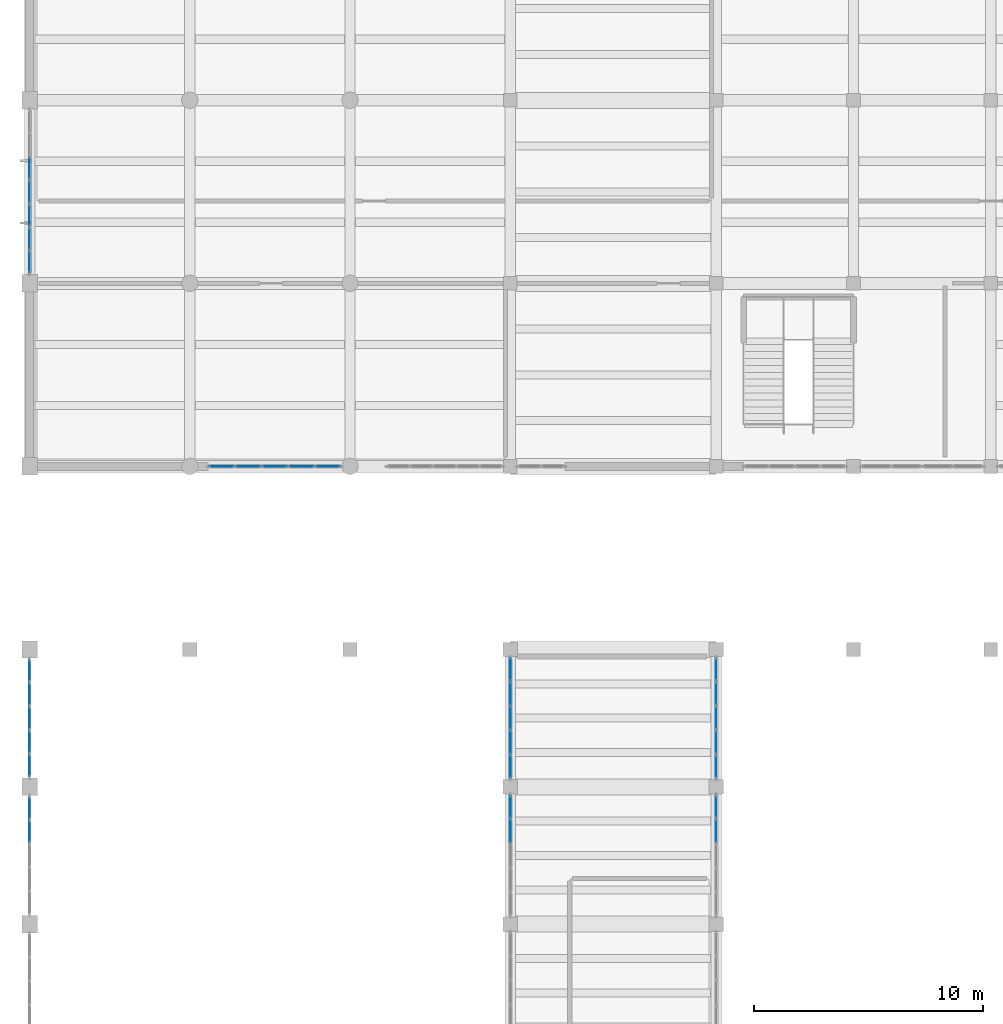
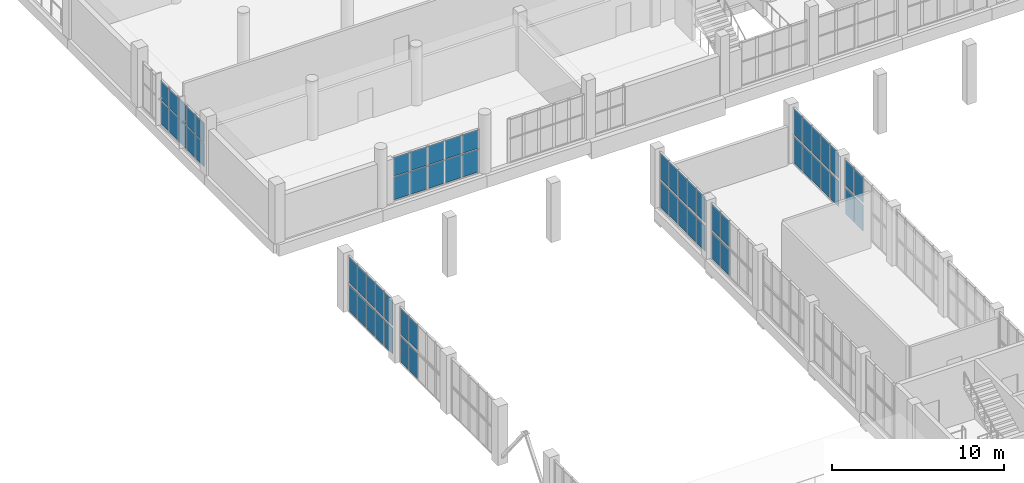
# One storey, part 53 of 85: 62 plates, 14 elements without a shape of their own.
"""IFC4 building model written with IfcOpenShell, lengths in metres."""

from ifc_helpers import new_model, si_unit, direction, frame, origin, origin_2d, place, context, subcontext, project, spatial, rectangle, extrude, material, layer, layer_set, type_object, element, aggregate, save


model = new_model("IFC4")

# Units and contexts
model_context = context("Model", 3, precision=1e-05, world=origin(), true_north=direction((0.0, 1.0)))
body_context = subcontext(model_context, "Body", "Model", "MODEL_VIEW")
ifc_project = project(units=[si_unit("LENGTHUNIT", "METRE"), si_unit("AREAUNIT", "SQUARE_METRE"), si_unit("VOLUMEUNIT", "CUBIC_METRE"), si_unit("PLANEANGLEUNIT", "RADIAN"), si_unit("MASSUNIT", "GRAM", prefix="KILO")], contexts=[model_context])

# Site, building, storey
site_placement = place(None, origin())
site = spatial("IfcSite", under=ifc_project, at=site_placement, CompositionType="ELEMENT")
building_placement = place(site_placement, origin())
building = spatial("IfcBuilding", under=site, at=building_placement, Name="Solvane Community Centre", CompositionType="ELEMENT")
storey_placement = place(building_placement, frame((0.0, 0.0, 5.39990234375)))
storey = spatial("IfcBuildingStorey", under=building, at=storey_placement, Name="L01", CompositionType="ELEMENT", Elevation=5.39990234375)

# Curtain wall, plates
ifc_material_1 = material(Name="Anodised bronze aluminium AW-6063 T6", Category="aluminium")
ifc_layer_1 = layer(ifc_material_1, 0.18994140625)
ifc_layer_set_1 = layer_set([ifc_layer_1], Name="Anodised bronze aluminium AW-6063 T6")
curtain_wall_type_1 = type_object("IfcCurtainWallType", Name="Boulevard Bronze Vision Curtain Wall [58x31dm]", PredefinedType="NOTDEFINED", material=ifc_layer_set_1)
curtain_wall_1_placement = place(storey_placement, origin())
curtain_wall_1 = element("IfcCurtainWall", 1, at=curtain_wall_1_placement, inside=storey, type_object=curtain_wall_type_1, Name="Curtain Wall CW-L01-196_860-102", PredefinedType="NOTDEFINED")
ifc_material_2 = material(Name="Tempered low-E double glazing", Category="glass")
ifc_layer_2 = layer(ifc_material_2, 0.028076171875)
ifc_layer_set_2 = layer_set([ifc_layer_2], Name="Tempered low-E double glazing")
plate_type_1 = type_object("IfcPlateType", Name="Low-E Vision Glazing Panel 28mm [58x31dm]", PredefinedType="CURTAIN_PANEL", material=ifc_layer_set_2)
plate_1_placement = place(storey_placement, frame((19.027587890625, 86.0, 0.06005859375), z_axis=(0.0, 0.0, 1.0), x_axis=(-1.0, 0.0, 0.0)))
plate_1 = element("IfcPlate", 2, at=plate_1_placement, type_object=plate_type_1, Name="CW02-58x31 panel 1.1", PredefinedType="CURTAIN_PANEL", context=body_context, shape_type="SweptSolid", body=[
    extrude(rectangle(XDim=1.074951171875, YDim=0.028076171875, at=origin_2d()), origin(), (0.0, 0.0, 1.0), 1.634033203125),
])
plate_2_placement = place(storey_placement, frame((19.027587890625, 86.0, 1.75390625), z_axis=(0.0, 0.0, 1.0), x_axis=(-1.0, 0.0, 0.0)))
plate_2 = element("IfcPlate", 3, at=plate_2_placement, type_object=plate_type_1, Name="CW02-58x31 panel 1.2", PredefinedType="CURTAIN_PANEL", context=body_context, shape_type="SweptSolid", body=[
    extrude(rectangle(XDim=1.074951171875, YDim=0.028076171875, at=origin_2d()), origin(), (0.0, 0.0, 1.0), 1.321044921875),
])
plate_3_placement = place(storey_placement, frame((17.87744140625, 86.0, 0.06005859375), z_axis=(0.0, 0.0, 1.0), x_axis=(-1.0, 0.0, 0.0)))
plate_3 = element("IfcPlate", 4, at=plate_3_placement, type_object=plate_type_1, Name="CW02-58x31 panel 2.1", PredefinedType="CURTAIN_PANEL", context=body_context, shape_type="SweptSolid", body=[
    extrude(rectangle(XDim=1.10498046875, YDim=0.028076171875, at=origin_2d()), origin(), (0.0, 0.0, 1.0), 1.634033203125),
])
plate_4_placement = place(storey_placement, frame((17.87744140625, 86.0, 1.75390625), z_axis=(0.0, 0.0, 1.0), x_axis=(-1.0, 0.0, 0.0)))
plate_4 = element("IfcPlate", 5, at=plate_4_placement, type_object=plate_type_1, Name="CW02-58x31 panel 2.2", PredefinedType="CURTAIN_PANEL", context=body_context, shape_type="SweptSolid", body=[
    extrude(rectangle(XDim=1.10498046875, YDim=0.028076171875, at=origin_2d()), origin(), (0.0, 0.0, 1.0), 1.321044921875),
])
plate_5_placement = place(storey_placement, frame((16.71240234375, 86.0, 0.06005859375), z_axis=(0.0, 0.0, 1.0), x_axis=(-1.0, 0.0, 0.0)))
plate_5 = element("IfcPlate", 6, at=plate_5_placement, type_object=plate_type_1, Name="CW02-58x31 panel 3.1", PredefinedType="CURTAIN_PANEL", context=body_context, shape_type="SweptSolid", body=[
    extrude(rectangle(XDim=1.10498046875, YDim=0.028076171875, at=origin_2d()), origin(), (0.0, 0.0, 1.0), 1.634033203125),
])
plate_6_placement = place(storey_placement, frame((16.71240234375, 86.0, 1.75390625), z_axis=(0.0, 0.0, 1.0), x_axis=(-1.0, 0.0, 0.0)))
plate_6 = element("IfcPlate", 7, at=plate_6_placement, type_object=plate_type_1, Name="CW02-58x31 panel 3.2", PredefinedType="CURTAIN_PANEL", context=body_context, shape_type="SweptSolid", body=[
    extrude(rectangle(XDim=1.10498046875, YDim=0.028076171875, at=origin_2d()), origin(), (0.0, 0.0, 1.0), 1.321044921875),
])
plate_7_placement = place(storey_placement, frame((15.547607421875, 86.0, 0.06005859375), z_axis=(0.0, 0.0, 1.0), x_axis=(-1.0, 0.0, 0.0)))
plate_7 = element("IfcPlate", 8, at=plate_7_placement, type_object=plate_type_1, Name="CW02-58x31 panel 4.1", PredefinedType="CURTAIN_PANEL", context=body_context, shape_type="SweptSolid", body=[
    extrude(rectangle(XDim=1.10498046875, YDim=0.028076171875, at=origin_2d()), origin(), (0.0, 0.0, 1.0), 1.634033203125),
])
plate_8_placement = place(storey_placement, frame((15.547607421875, 86.0, 1.75390625), z_axis=(0.0, 0.0, 1.0), x_axis=(-1.0, 0.0, 0.0)))
plate_8 = element("IfcPlate", 9, at=plate_8_placement, type_object=plate_type_1, Name="CW02-58x31 panel 4.2", PredefinedType="CURTAIN_PANEL", context=body_context, shape_type="SweptSolid", body=[
    extrude(rectangle(XDim=1.10498046875, YDim=0.028076171875, at=origin_2d()), origin(), (0.0, 0.0, 1.0), 1.321044921875),
])
plate_9_placement = place(storey_placement, frame((14.3974609375, 86.0, 0.06005859375), z_axis=(0.0, 0.0, 1.0), x_axis=(-1.0, 0.0, 0.0)))
plate_9 = element("IfcPlate", 10, at=plate_9_placement, type_object=plate_type_1, Name="CW02-58x31 panel 5.1", PredefinedType="CURTAIN_PANEL", context=body_context, shape_type="SweptSolid", body=[
    extrude(rectangle(XDim=1.074951171875, YDim=0.028076171875, at=origin_2d()), origin(), (0.0, 0.0, 1.0), 1.634033203125),
])
plate_10_placement = place(storey_placement, frame((14.3974609375, 86.0, 1.75390625), z_axis=(0.0, 0.0, 1.0), x_axis=(-1.0, 0.0, 0.0)))
plate_10 = element("IfcPlate", 11, at=plate_10_placement, type_object=plate_type_1, Name="CW02-58x31 panel 5.2", PredefinedType="CURTAIN_PANEL", context=body_context, shape_type="SweptSolid", body=[
    extrude(rectangle(XDim=1.074951171875, YDim=0.028076171875, at=origin_2d()), origin(), (0.0, 0.0, 1.0), 1.321044921875),
])
aggregate(curtain_wall_1, [plate_1, plate_2, plate_3, plate_4, plate_5, plate_6, plate_7, plate_8, plate_9, plate_10])

ifc_layer_3 = layer(ifc_material_1, 0.18994140625)
ifc_layer_set_3 = layer_set([ifc_layer_3], Name="Anodised bronze aluminium AW-6063 T6")
curtain_wall_type_2 = type_object("IfcCurtainWallType", Name="Boulevard Bronze Vision Curtain Wall [72x32dm]", PredefinedType="NOTDEFINED", material=ifc_layer_set_3)
curtain_wall_2_placement = place(storey_placement, origin())
curtain_wall_2 = element("IfcCurtainWall", 12, at=curtain_wall_2_placement, inside=storey, type_object=curtain_wall_type_2, Name="Curtain Wall CW-L01-60_944-085", PredefinedType="NOTDEFINED")
ifc_layer_4 = layer(ifc_material_2, 0.028076171875)
ifc_layer_set_4 = layer_set([ifc_layer_4], Name="Tempered low-E double glazing")
plate_type_2 = type_object("IfcPlateType", Name="Low-E Vision Glazing Panel 28mm [72x32dm]", PredefinedType="CURTAIN_PANEL", material=ifc_layer_set_4)
plate_11_placement = place(storey_placement, frame((6.0, 94.925048828125, 0.06005859375), z_axis=(0.0, 0.0, 1.0), x_axis=(0.0, 1.0, 0.0)))
plate_11 = element("IfcPlate", 13, at=plate_11_placement, type_object=plate_type_2, Name="CW02-72x32 panel 1.1", PredefinedType="CURTAIN_PANEL", context=body_context, shape_type="SweptSolid", body=[
    extrude(rectangle(XDim=0.93994140625, YDim=0.028076171875, at=origin_2d()), origin(), (0.0, 0.0, 1.0), 1.68408203125),
])
plate_12_placement = place(storey_placement, frame((6.0, 94.925048828125, 1.80419921875), z_axis=(0.0, 0.0, 1.0), x_axis=(0.0, 1.0, 0.0)))
plate_12 = element("IfcPlate", 14, at=plate_12_placement, type_object=plate_type_2, Name="CW02-72x32 panel 1.2", PredefinedType="CURTAIN_PANEL", context=body_context, shape_type="SweptSolid", body=[
    extrude(rectangle(XDim=0.93994140625, YDim=0.028076171875, at=origin_2d()), origin(), (0.0, 0.0, 1.0), 1.361083984375),
])
plate_13_placement = place(storey_placement, frame((6.0, 95.93994140625, 0.06005859375), z_axis=(0.0, 0.0, 1.0), x_axis=(0.0, 1.0, 0.0)))
plate_13 = element("IfcPlate", 15, at=plate_13_placement, type_object=plate_type_2, Name="CW02-72x32 panel 2.1", PredefinedType="CURTAIN_PANEL", context=body_context, shape_type="SweptSolid", body=[
    extrude(rectangle(XDim=0.969970703125, YDim=0.028076171875, at=origin_2d()), origin(), (0.0, 0.0, 1.0), 1.68408203125),
])
plate_14_placement = place(storey_placement, frame((6.0, 95.93994140625, 1.80419921875), z_axis=(0.0, 0.0, 1.0), x_axis=(0.0, 1.0, 0.0)))
plate_14 = element("IfcPlate", 16, at=plate_14_placement, type_object=plate_type_2, Name="CW02-72x32 panel 2.2", PredefinedType="CURTAIN_PANEL", context=body_context, shape_type="SweptSolid", body=[
    extrude(rectangle(XDim=0.969970703125, YDim=0.028076171875, at=origin_2d()), origin(), (0.0, 0.0, 1.0), 1.361083984375),
])
plate_15_placement = place(storey_placement, frame((6.0, 96.969970703125, 0.06005859375), z_axis=(0.0, 0.0, 1.0), x_axis=(0.0, 1.0, 0.0)))
plate_15 = element("IfcPlate", 17, at=plate_15_placement, type_object=plate_type_2, Name="CW02-72x32 panel 3.1", PredefinedType="CURTAIN_PANEL", context=body_context, shape_type="SweptSolid", body=[
    extrude(rectangle(XDim=0.969970703125, YDim=0.028076171875, at=origin_2d()), origin(), (0.0, 0.0, 1.0), 1.68408203125),
])
plate_16_placement = place(storey_placement, frame((6.0, 96.969970703125, 1.80419921875), z_axis=(0.0, 0.0, 1.0), x_axis=(0.0, 1.0, 0.0)))
plate_16 = element("IfcPlate", 18, at=plate_16_placement, type_object=plate_type_2, Name="CW02-72x32 panel 3.2", PredefinedType="CURTAIN_PANEL", context=body_context, shape_type="SweptSolid", body=[
    extrude(rectangle(XDim=0.969970703125, YDim=0.028076171875, at=origin_2d()), origin(), (0.0, 0.0, 1.0), 1.361083984375),
])
plate_17_placement = place(storey_placement, frame((6.0, 98.0, 0.06005859375), z_axis=(0.0, 0.0, 1.0), x_axis=(0.0, 1.0, 0.0)))
plate_17 = element("IfcPlate", 19, at=plate_17_placement, type_object=plate_type_2, Name="CW02-72x32 panel 4.1", PredefinedType="CURTAIN_PANEL", context=body_context, shape_type="SweptSolid", body=[
    extrude(rectangle(XDim=0.969970703125, YDim=0.028076171875, at=origin_2d()), origin(), (0.0, 0.0, 1.0), 1.68408203125),
])
plate_18_placement = place(storey_placement, frame((6.0, 98.0, 1.80419921875), z_axis=(0.0, 0.0, 1.0), x_axis=(0.0, 1.0, 0.0)))
plate_18 = element("IfcPlate", 20, at=plate_18_placement, type_object=plate_type_2, Name="CW02-72x32 panel 4.2", PredefinedType="CURTAIN_PANEL", context=body_context, shape_type="SweptSolid", body=[
    extrude(rectangle(XDim=0.969970703125, YDim=0.028076171875, at=origin_2d()), origin(), (0.0, 0.0, 1.0), 1.361083984375),
])
plate_19_placement = place(storey_placement, frame((6.0, 99.030029296875, 0.06005859375), z_axis=(0.0, 0.0, 1.0), x_axis=(0.0, 1.0, 0.0)))
plate_19 = element("IfcPlate", 21, at=plate_19_placement, type_object=plate_type_2, Name="CW02-72x32 panel 5.1", PredefinedType="CURTAIN_PANEL", context=body_context, shape_type="SweptSolid", body=[
    extrude(rectangle(XDim=0.969970703125, YDim=0.028076171875, at=origin_2d()), origin(), (0.0, 0.0, 1.0), 1.68408203125),
])
plate_20_placement = place(storey_placement, frame((6.0, 99.030029296875, 1.80419921875), z_axis=(0.0, 0.0, 1.0), x_axis=(0.0, 1.0, 0.0)))
plate_20 = element("IfcPlate", 22, at=plate_20_placement, type_object=plate_type_2, Name="CW02-72x32 panel 5.2", PredefinedType="CURTAIN_PANEL", context=body_context, shape_type="SweptSolid", body=[
    extrude(rectangle(XDim=0.969970703125, YDim=0.028076171875, at=origin_2d()), origin(), (0.0, 0.0, 1.0), 1.361083984375),
])
aggregate(curtain_wall_2, [plate_11, plate_12, plate_13, plate_14, plate_15, plate_16, plate_17, plate_18, plate_19, plate_20])

ifc_layer_5 = layer(ifc_material_1, 0.179931640625)
ifc_layer_set_5 = layer_set([ifc_layer_5], Name="Anodised bronze aluminium AW-6063 T6")
curtain_wall_type_3 = type_object("IfcCurtainWallType", Name="Hall Translucent Upper Curtain Wall [52x19dm]", PredefinedType="NOTDEFINED", material=ifc_layer_set_5)
curtain_wall_3_placement = place(storey_placement, origin())
curtain_wall_3 = element("IfcCurtainWall", 23, at=curtain_wall_3_placement, inside=storey, type_object=curtain_wall_type_3, Name="Curtain Wall CW-L01-60_664-061", PredefinedType="NOTDEFINED")
ifc_material_3 = material(Name="Translucent polycarbonate panel")
ifc_layer_6 = layer(ifc_material_3, 0.028076171875)
ifc_layer_set_6 = layer_set([ifc_layer_6], Name="Translucent polycarbonate panel")
plate_type_3 = type_object("IfcPlateType", Name="Translucent Polycarbonate Panel 28mm [52x19dm]", PredefinedType="CURTAIN_PANEL", material=ifc_layer_set_6)
plate_21_placement = place(storey_placement, frame((6.0, 70.0419921875, 0.06005859375), z_axis=(0.0, 0.0, 1.0), x_axis=(0.0, 1.0, 0.0)))
plate_21 = element("IfcPlate", 24, at=plate_21_placement, type_object=plate_type_3, Name="CW01-52x19 panel 4.1", PredefinedType="CURTAIN_PANEL", context=body_context, shape_type="SweptSolid", body=[
    extrude(rectangle(XDim=0.98193359375, YDim=0.028076171875, at=origin_2d()), origin(), (0.0, 0.0, 1.0), 1.830078125),
])
plate_22_placement = place(storey_placement, frame((6.0, 71.069091796875, 0.06005859375), z_axis=(0.0, 0.0, 1.0), x_axis=(0.0, 1.0, 0.0)))
plate_22 = element("IfcPlate", 25, at=plate_22_placement, type_object=plate_type_3, Name="CW01-52x19 panel 5.1", PredefinedType="CURTAIN_PANEL", context=body_context, shape_type="SweptSolid", body=[
    extrude(rectangle(XDim=0.951904296875, YDim=0.028076171875, at=origin_2d()), origin(), (0.0, 0.0, 1.0), 1.830078125),
])
aggregate(curtain_wall_3, [plate_21, plate_22])

curtain_wall_4_placement = place(storey_placement, origin())
curtain_wall_4 = element("IfcCurtainWall", 26, at=curtain_wall_4_placement, inside=storey, type_object=curtain_wall_type_3, Name="Curtain Wall CW-L01-60_724-069", PredefinedType="NOTDEFINED")
plate_23_placement = place(storey_placement, frame((6.0, 72.930908203125, 0.06005859375), z_axis=(0.0, 0.0, 1.0), x_axis=(0.0, 1.0, 0.0)))
plate_23 = element("IfcPlate", 27, at=plate_23_placement, type_object=plate_type_3, Name="CW01-52x19 panel 1.1", PredefinedType="CURTAIN_PANEL", context=body_context, shape_type="SweptSolid", body=[
    extrude(rectangle(XDim=0.951904296875, YDim=0.028076171875, at=origin_2d()), origin(), (0.0, 0.0, 1.0), 1.830078125),
])
plate_24_placement = place(storey_placement, frame((6.0, 73.9580078125, 0.06005859375), z_axis=(0.0, 0.0, 1.0), x_axis=(0.0, 1.0, 0.0)))
plate_24 = element("IfcPlate", 28, at=plate_24_placement, type_object=plate_type_3, Name="CW01-52x19 panel 2.1", PredefinedType="CURTAIN_PANEL", context=body_context, shape_type="SweptSolid", body=[
    extrude(rectangle(XDim=0.98193359375, YDim=0.028076171875, at=origin_2d()), origin(), (0.0, 0.0, 1.0), 1.830078125),
])
plate_25_placement = place(storey_placement, frame((6.0, 75.0, 0.06005859375), z_axis=(0.0, 0.0, 1.0), x_axis=(0.0, 1.0, 0.0)))
plate_25 = element("IfcPlate", 29, at=plate_25_placement, type_object=plate_type_3, Name="CW01-52x19 panel 3.1", PredefinedType="CURTAIN_PANEL", context=body_context, shape_type="SweptSolid", body=[
    extrude(rectangle(XDim=0.98193359375, YDim=0.028076171875, at=origin_2d()), origin(), (0.0, 0.0, 1.0), 1.830078125),
])
plate_26_placement = place(storey_placement, frame((6.0, 76.0419921875, 0.06005859375), z_axis=(0.0, 0.0, 1.0), x_axis=(0.0, 1.0, 0.0)))
plate_26 = element("IfcPlate", 30, at=plate_26_placement, type_object=plate_type_3, Name="CW01-52x19 panel 4.1", PredefinedType="CURTAIN_PANEL", context=body_context, shape_type="SweptSolid", body=[
    extrude(rectangle(XDim=0.98193359375, YDim=0.028076171875, at=origin_2d()), origin(), (0.0, 0.0, 1.0), 1.830078125),
])
plate_27_placement = place(storey_placement, frame((6.0, 77.069091796875, 0.06005859375), z_axis=(0.0, 0.0, 1.0), x_axis=(0.0, 1.0, 0.0)))
plate_27 = element("IfcPlate", 31, at=plate_27_placement, type_object=plate_type_3, Name="CW01-52x19 panel 5.1", PredefinedType="CURTAIN_PANEL", context=body_context, shape_type="SweptSolid", body=[
    extrude(rectangle(XDim=0.951904296875, YDim=0.028076171875, at=origin_2d()), origin(), (0.0, 0.0, 1.0), 1.830078125),
])
aggregate(curtain_wall_4, [plate_23, plate_24, plate_25, plate_26, plate_27])

ifc_layer_7 = layer(ifc_material_1, 0.179931640625)
ifc_layer_set_7 = layer_set([ifc_layer_7], Name="Anodised bronze aluminium AW-6063 T6")
curtain_wall_type_4 = type_object("IfcCurtainWallType", Name="Hall Translucent Upper Curtain Wall [52x20dm]", PredefinedType="NOTDEFINED", material=ifc_layer_set_7)
curtain_wall_5_placement = place(storey_placement, origin())
curtain_wall_5 = element("IfcCurtainWall", 32, at=curtain_wall_5_placement, inside=storey, type_object=curtain_wall_type_4, Name="Curtain Wall CW-L01-60_664-062", PredefinedType="NOTDEFINED")
ifc_layer_8 = layer(ifc_material_3, 0.028076171875)
ifc_layer_set_8 = layer_set([ifc_layer_8], Name="Translucent polycarbonate panel")
plate_type_4 = type_object("IfcPlateType", Name="Translucent Polycarbonate Panel 28mm [52x20dm]", PredefinedType="CURTAIN_PANEL", material=ifc_layer_set_8)
plate_28_placement = place(storey_placement, frame((6.0, 70.0419921875, 2.080078125), z_axis=(0.0, 0.0, 1.0), x_axis=(0.0, 1.0, 0.0)))
plate_28 = element("IfcPlate", 33, at=plate_28_placement, type_object=plate_type_4, Name="CW01-52x20 panel 4.1", PredefinedType="CURTAIN_PANEL", context=body_context, shape_type="SweptSolid", body=[
    extrude(rectangle(XDim=0.98193359375, YDim=0.028076171875, at=origin_2d()), origin(), (0.0, 0.0, 1.0), 1.840087890625),
])
plate_29_placement = place(storey_placement, frame((6.0, 71.069091796875, 2.080078125), z_axis=(0.0, 0.0, 1.0), x_axis=(0.0, 1.0, 0.0)))
plate_29 = element("IfcPlate", 34, at=plate_29_placement, type_object=plate_type_4, Name="CW01-52x20 panel 5.1", PredefinedType="CURTAIN_PANEL", context=body_context, shape_type="SweptSolid", body=[
    extrude(rectangle(XDim=0.951904296875, YDim=0.028076171875, at=origin_2d()), origin(), (0.0, 0.0, 1.0), 1.840087890625),
])
aggregate(curtain_wall_5, [plate_28, plate_29])

curtain_wall_6_placement = place(storey_placement, origin())
curtain_wall_6 = element("IfcCurtainWall", 35, at=curtain_wall_6_placement, inside=storey, type_object=curtain_wall_type_4, Name="Curtain Wall CW-L01-60_724-070", PredefinedType="NOTDEFINED")
plate_30_placement = place(storey_placement, frame((6.0, 72.930908203125, 2.080078125), z_axis=(0.0, 0.0, 1.0), x_axis=(0.0, 1.0, 0.0)))
plate_30 = element("IfcPlate", 36, at=plate_30_placement, type_object=plate_type_4, Name="CW01-52x20 panel 1.1", PredefinedType="CURTAIN_PANEL", context=body_context, shape_type="SweptSolid", body=[
    extrude(rectangle(XDim=0.951904296875, YDim=0.028076171875, at=origin_2d()), origin(), (0.0, 0.0, 1.0), 1.840087890625),
])
plate_31_placement = place(storey_placement, frame((6.0, 73.9580078125, 2.080078125), z_axis=(0.0, 0.0, 1.0), x_axis=(0.0, 1.0, 0.0)))
plate_31 = element("IfcPlate", 37, at=plate_31_placement, type_object=plate_type_4, Name="CW01-52x20 panel 2.1", PredefinedType="CURTAIN_PANEL", context=body_context, shape_type="SweptSolid", body=[
    extrude(rectangle(XDim=0.98193359375, YDim=0.028076171875, at=origin_2d()), origin(), (0.0, 0.0, 1.0), 1.840087890625),
])
plate_32_placement = place(storey_placement, frame((6.0, 75.0, 2.080078125), z_axis=(0.0, 0.0, 1.0), x_axis=(0.0, 1.0, 0.0)))
plate_32 = element("IfcPlate", 38, at=plate_32_placement, type_object=plate_type_4, Name="CW01-52x20 panel 3.1", PredefinedType="CURTAIN_PANEL", context=body_context, shape_type="SweptSolid", body=[
    extrude(rectangle(XDim=0.98193359375, YDim=0.028076171875, at=origin_2d()), origin(), (0.0, 0.0, 1.0), 1.840087890625),
])
plate_33_placement = place(storey_placement, frame((6.0, 76.0419921875, 2.080078125), z_axis=(0.0, 0.0, 1.0), x_axis=(0.0, 1.0, 0.0)))
plate_33 = element("IfcPlate", 39, at=plate_33_placement, type_object=plate_type_4, Name="CW01-52x20 panel 4.1", PredefinedType="CURTAIN_PANEL", context=body_context, shape_type="SweptSolid", body=[
    extrude(rectangle(XDim=0.98193359375, YDim=0.028076171875, at=origin_2d()), origin(), (0.0, 0.0, 1.0), 1.840087890625),
])
plate_34_placement = place(storey_placement, frame((6.0, 77.069091796875, 2.080078125), z_axis=(0.0, 0.0, 1.0), x_axis=(0.0, 1.0, 0.0)))
plate_34 = element("IfcPlate", 40, at=plate_34_placement, type_object=plate_type_4, Name="CW01-52x20 panel 5.1", PredefinedType="CURTAIN_PANEL", context=body_context, shape_type="SweptSolid", body=[
    extrude(rectangle(XDim=0.951904296875, YDim=0.028076171875, at=origin_2d()), origin(), (0.0, 0.0, 1.0), 1.840087890625),
])
aggregate(curtain_wall_6, [plate_30, plate_31, plate_32, plate_33, plate_34])

ifc_layer_9 = layer(ifc_material_1, 0.179931640625)
ifc_layer_set_9 = layer_set([ifc_layer_9], Name="Anodised bronze aluminium AW-6063 T6")
curtain_wall_type_5 = type_object("IfcCurtainWallType", Name="Hall Translucent Upper Curtain Wall [53x19dm]", PredefinedType="NOTDEFINED", material=ifc_layer_set_9)
curtain_wall_7_placement = place(storey_placement, origin())
curtain_wall_7 = element("IfcCurtainWall", 41, at=curtain_wall_7_placement, inside=storey, type_object=curtain_wall_type_5, Name="Curtain Wall CW-L01-360_663-057", PredefinedType="NOTDEFINED")
ifc_layer_10 = layer(ifc_material_3, 0.028076171875)
ifc_layer_set_10 = layer_set([ifc_layer_10], Name="Translucent polycarbonate panel")
plate_type_5 = type_object("IfcPlateType", Name="Translucent Polycarbonate Panel 28mm [53x19dm]", PredefinedType="CURTAIN_PANEL", material=ifc_layer_set_10)
plate_35_placement = place(storey_placement, frame((36.0, 70.068115234375, 0.06005859375), z_axis=(0.0, 0.0, 1.0), x_axis=(0.0, 1.0, 0.0)))
plate_35 = element("IfcPlate", 42, at=plate_35_placement, type_object=plate_type_5, Name="CW01-53x19 panel 4.1", PredefinedType="CURTAIN_PANEL", context=body_context, shape_type="SweptSolid", body=[
    extrude(rectangle(XDim=1.008056640625, YDim=0.028076171875, at=origin_2d()), origin(), (0.0, 0.0, 1.0), 1.830078125),
])
plate_36_placement = place(storey_placement, frame((36.0, 71.12109375, 0.06005859375), z_axis=(0.0, 0.0, 1.0), x_axis=(0.0, 1.0, 0.0)))
plate_36 = element("IfcPlate", 43, at=plate_36_placement, type_object=plate_type_5, Name="CW01-53x19 panel 5.1", PredefinedType="CURTAIN_PANEL", context=body_context, shape_type="SweptSolid", body=[
    extrude(rectangle(XDim=0.97802734375, YDim=0.028076171875, at=origin_2d()), origin(), (0.0, 0.0, 1.0), 1.830078125),
])
aggregate(curtain_wall_7, [plate_35, plate_36])

curtain_wall_8_placement = place(storey_placement, origin())
curtain_wall_8 = element("IfcCurtainWall", 44, at=curtain_wall_8_placement, inside=storey, type_object=curtain_wall_type_5, Name="Curtain Wall CW-L01-270_717-063", PredefinedType="NOTDEFINED")
plate_37_placement = place(storey_placement, frame((27.0, 71.12109375, 0.06005859375), z_axis=(0.0, 0.0, 1.0), x_axis=(0.0, -1.0, 0.0)))
plate_37 = element("IfcPlate", 45, at=plate_37_placement, type_object=plate_type_5, Name="CW01-53x19 panel 1.1", PredefinedType="CURTAIN_PANEL", context=body_context, shape_type="SweptSolid", body=[
    extrude(rectangle(XDim=0.97802734375, YDim=0.028076171875, at=origin_2d()), origin(), (0.0, 0.0, 1.0), 1.830078125),
])
plate_38_placement = place(storey_placement, frame((27.0, 70.068115234375, 0.06005859375), z_axis=(0.0, 0.0, 1.0), x_axis=(0.0, -1.0, 0.0)))
plate_38 = element("IfcPlate", 46, at=plate_38_placement, type_object=plate_type_5, Name="CW01-53x19 panel 2.1", PredefinedType="CURTAIN_PANEL", context=body_context, shape_type="SweptSolid", body=[
    extrude(rectangle(XDim=1.008056640625, YDim=0.028076171875, at=origin_2d()), origin(), (0.0, 0.0, 1.0), 1.830078125),
])
aggregate(curtain_wall_8, [plate_37, plate_38])

curtain_wall_9_placement = place(storey_placement, origin())
curtain_wall_9 = element("IfcCurtainWall", 47, at=curtain_wall_9_placement, inside=storey, type_object=curtain_wall_type_5, Name="Curtain Wall CW-L01-360_723-065", PredefinedType="NOTDEFINED")
plate_39_placement = place(storey_placement, frame((36.0, 72.87890625, 0.06005859375), z_axis=(0.0, 0.0, 1.0), x_axis=(0.0, 1.0, 0.0)))
plate_39 = element("IfcPlate", 48, at=plate_39_placement, type_object=plate_type_5, Name="CW01-53x19 panel 1.1", PredefinedType="CURTAIN_PANEL", context=body_context, shape_type="SweptSolid", body=[
    extrude(rectangle(XDim=0.97802734375, YDim=0.028076171875, at=origin_2d()), origin(), (0.0, 0.0, 1.0), 1.830078125),
])
plate_40_placement = place(storey_placement, frame((36.0, 73.931884765625, 0.06005859375), z_axis=(0.0, 0.0, 1.0), x_axis=(0.0, 1.0, 0.0)))
plate_40 = element("IfcPlate", 49, at=plate_40_placement, type_object=plate_type_5, Name="CW01-53x19 panel 2.1", PredefinedType="CURTAIN_PANEL", context=body_context, shape_type="SweptSolid", body=[
    extrude(rectangle(XDim=1.008056640625, YDim=0.028076171875, at=origin_2d()), origin(), (0.0, 0.0, 1.0), 1.830078125),
])
plate_41_placement = place(storey_placement, frame((36.0, 75.0, 0.06005859375), z_axis=(0.0, 0.0, 1.0), x_axis=(0.0, 1.0, 0.0)))
plate_41 = element("IfcPlate", 50, at=plate_41_placement, type_object=plate_type_5, Name="CW01-53x19 panel 3.1", PredefinedType="CURTAIN_PANEL", context=body_context, shape_type="SweptSolid", body=[
    extrude(rectangle(XDim=1.008056640625, YDim=0.028076171875, at=origin_2d()), origin(), (0.0, 0.0, 1.0), 1.830078125),
])
plate_42_placement = place(storey_placement, frame((36.0, 76.068115234375, 0.06005859375), z_axis=(0.0, 0.0, 1.0), x_axis=(0.0, 1.0, 0.0)))
plate_42 = element("IfcPlate", 51, at=plate_42_placement, type_object=plate_type_5, Name="CW01-53x19 panel 4.1", PredefinedType="CURTAIN_PANEL", context=body_context, shape_type="SweptSolid", body=[
    extrude(rectangle(XDim=1.008056640625, YDim=0.028076171875, at=origin_2d()), origin(), (0.0, 0.0, 1.0), 1.830078125),
])
plate_43_placement = place(storey_placement, frame((36.0, 77.12109375, 0.06005859375), z_axis=(0.0, 0.0, 1.0), x_axis=(0.0, 1.0, 0.0)))
plate_43 = element("IfcPlate", 52, at=plate_43_placement, type_object=plate_type_5, Name="CW01-53x19 panel 5.1", PredefinedType="CURTAIN_PANEL", context=body_context, shape_type="SweptSolid", body=[
    extrude(rectangle(XDim=0.97802734375, YDim=0.028076171875, at=origin_2d()), origin(), (0.0, 0.0, 1.0), 1.830078125),
])
aggregate(curtain_wall_9, [plate_39, plate_40, plate_41, plate_42, plate_43])

curtain_wall_10_placement = place(storey_placement, origin())
curtain_wall_10 = element("IfcCurtainWall", 53, at=curtain_wall_10_placement, inside=storey, type_object=curtain_wall_type_5, Name="Curtain Wall CW-L01-270_777-071", PredefinedType="NOTDEFINED")
plate_44_placement = place(storey_placement, frame((27.0, 77.12109375, 0.06005859375), z_axis=(0.0, 0.0, 1.0), x_axis=(0.0, -1.0, 0.0)))
plate_44 = element("IfcPlate", 54, at=plate_44_placement, type_object=plate_type_5, Name="CW01-53x19 panel 1.1", PredefinedType="CURTAIN_PANEL", context=body_context, shape_type="SweptSolid", body=[
    extrude(rectangle(XDim=0.97802734375, YDim=0.028076171875, at=origin_2d()), origin(), (0.0, 0.0, 1.0), 1.830078125),
])
plate_45_placement = place(storey_placement, frame((27.0, 76.068115234375, 0.06005859375), z_axis=(0.0, 0.0, 1.0), x_axis=(0.0, -1.0, 0.0)))
plate_45 = element("IfcPlate", 55, at=plate_45_placement, type_object=plate_type_5, Name="CW01-53x19 panel 2.1", PredefinedType="CURTAIN_PANEL", context=body_context, shape_type="SweptSolid", body=[
    extrude(rectangle(XDim=1.008056640625, YDim=0.028076171875, at=origin_2d()), origin(), (0.0, 0.0, 1.0), 1.830078125),
])
plate_46_placement = place(storey_placement, frame((27.0, 75.0, 0.06005859375), z_axis=(0.0, 0.0, 1.0), x_axis=(0.0, -1.0, 0.0)))
plate_46 = element("IfcPlate", 56, at=plate_46_placement, type_object=plate_type_5, Name="CW01-53x19 panel 3.1", PredefinedType="CURTAIN_PANEL", context=body_context, shape_type="SweptSolid", body=[
    extrude(rectangle(XDim=1.008056640625, YDim=0.028076171875, at=origin_2d()), origin(), (0.0, 0.0, 1.0), 1.830078125),
])
plate_47_placement = place(storey_placement, frame((27.0, 73.931884765625, 0.06005859375), z_axis=(0.0, 0.0, 1.0), x_axis=(0.0, -1.0, 0.0)))
plate_47 = element("IfcPlate", 57, at=plate_47_placement, type_object=plate_type_5, Name="CW01-53x19 panel 4.1", PredefinedType="CURTAIN_PANEL", context=body_context, shape_type="SweptSolid", body=[
    extrude(rectangle(XDim=1.008056640625, YDim=0.028076171875, at=origin_2d()), origin(), (0.0, 0.0, 1.0), 1.830078125),
])
plate_48_placement = place(storey_placement, frame((27.0, 72.87890625, 0.06005859375), z_axis=(0.0, 0.0, 1.0), x_axis=(0.0, -1.0, 0.0)))
plate_48 = element("IfcPlate", 58, at=plate_48_placement, type_object=plate_type_5, Name="CW01-53x19 panel 5.1", PredefinedType="CURTAIN_PANEL", context=body_context, shape_type="SweptSolid", body=[
    extrude(rectangle(XDim=0.97802734375, YDim=0.028076171875, at=origin_2d()), origin(), (0.0, 0.0, 1.0), 1.830078125),
])
aggregate(curtain_wall_10, [plate_44, plate_45, plate_46, plate_47, plate_48])

ifc_layer_11 = layer(ifc_material_1, 0.179931640625)
ifc_layer_set_11 = layer_set([ifc_layer_11], Name="Anodised bronze aluminium AW-6063 T6")
curtain_wall_type_6 = type_object("IfcCurtainWallType", Name="Hall Translucent Upper Curtain Wall [53x20dm]", PredefinedType="NOTDEFINED", material=ifc_layer_set_11)
curtain_wall_11_placement = place(storey_placement, origin())
curtain_wall_11 = element("IfcCurtainWall", 59, at=curtain_wall_11_placement, inside=storey, type_object=curtain_wall_type_6, Name="Curtain Wall CW-L01-360_663-058", PredefinedType="NOTDEFINED")
ifc_layer_12 = layer(ifc_material_3, 0.028076171875)
ifc_layer_set_12 = layer_set([ifc_layer_12], Name="Translucent polycarbonate panel")
plate_type_6 = type_object("IfcPlateType", Name="Translucent Polycarbonate Panel 28mm [53x20dm]", PredefinedType="CURTAIN_PANEL", material=ifc_layer_set_12)
plate_49_placement = place(storey_placement, frame((36.0, 70.068115234375, 2.080078125), z_axis=(0.0, 0.0, 1.0), x_axis=(0.0, 1.0, 0.0)))
plate_49 = element("IfcPlate", 60, at=plate_49_placement, type_object=plate_type_6, Name="CW01-53x20 panel 4.1", PredefinedType="CURTAIN_PANEL", context=body_context, shape_type="SweptSolid", body=[
    extrude(rectangle(XDim=1.008056640625, YDim=0.028076171875, at=origin_2d()), origin(), (0.0, 0.0, 1.0), 1.840087890625),
])
plate_50_placement = place(storey_placement, frame((36.0, 71.12109375, 2.080078125), z_axis=(0.0, 0.0, 1.0), x_axis=(0.0, 1.0, 0.0)))
plate_50 = element("IfcPlate", 61, at=plate_50_placement, type_object=plate_type_6, Name="CW01-53x20 panel 5.1", PredefinedType="CURTAIN_PANEL", context=body_context, shape_type="SweptSolid", body=[
    extrude(rectangle(XDim=0.97802734375, YDim=0.028076171875, at=origin_2d()), origin(), (0.0, 0.0, 1.0), 1.840087890625),
])
aggregate(curtain_wall_11, [plate_49, plate_50])

curtain_wall_12_placement = place(storey_placement, origin())
curtain_wall_12 = element("IfcCurtainWall", 62, at=curtain_wall_12_placement, inside=storey, type_object=curtain_wall_type_6, Name="Curtain Wall CW-L01-270_717-064", PredefinedType="NOTDEFINED")
plate_51_placement = place(storey_placement, frame((27.0, 71.12109375, 2.080078125), z_axis=(0.0, 0.0, 1.0), x_axis=(0.0, -1.0, 0.0)))
plate_51 = element("IfcPlate", 63, at=plate_51_placement, type_object=plate_type_6, Name="CW01-53x20 panel 1.1", PredefinedType="CURTAIN_PANEL", context=body_context, shape_type="SweptSolid", body=[
    extrude(rectangle(XDim=0.97802734375, YDim=0.028076171875, at=origin_2d()), origin(), (0.0, 0.0, 1.0), 1.840087890625),
])
plate_52_placement = place(storey_placement, frame((27.0, 70.068115234375, 2.080078125), z_axis=(0.0, 0.0, 1.0), x_axis=(0.0, -1.0, 0.0)))
plate_52 = element("IfcPlate", 64, at=plate_52_placement, type_object=plate_type_6, Name="CW01-53x20 panel 2.1", PredefinedType="CURTAIN_PANEL", context=body_context, shape_type="SweptSolid", body=[
    extrude(rectangle(XDim=1.008056640625, YDim=0.028076171875, at=origin_2d()), origin(), (0.0, 0.0, 1.0), 1.840087890625),
])
aggregate(curtain_wall_12, [plate_51, plate_52])

curtain_wall_13_placement = place(storey_placement, origin())
curtain_wall_13 = element("IfcCurtainWall", 65, at=curtain_wall_13_placement, inside=storey, type_object=curtain_wall_type_6, Name="Curtain Wall CW-L01-360_723-066", PredefinedType="NOTDEFINED")
plate_53_placement = place(storey_placement, frame((36.0, 72.87890625, 2.080078125), z_axis=(0.0, 0.0, 1.0), x_axis=(0.0, 1.0, 0.0)))
plate_53 = element("IfcPlate", 66, at=plate_53_placement, type_object=plate_type_6, Name="CW01-53x20 panel 1.1", PredefinedType="CURTAIN_PANEL", context=body_context, shape_type="SweptSolid", body=[
    extrude(rectangle(XDim=0.97802734375, YDim=0.028076171875, at=origin_2d()), origin(), (0.0, 0.0, 1.0), 1.840087890625),
])
plate_54_placement = place(storey_placement, frame((36.0, 73.931884765625, 2.080078125), z_axis=(0.0, 0.0, 1.0), x_axis=(0.0, 1.0, 0.0)))
plate_54 = element("IfcPlate", 67, at=plate_54_placement, type_object=plate_type_6, Name="CW01-53x20 panel 2.1", PredefinedType="CURTAIN_PANEL", context=body_context, shape_type="SweptSolid", body=[
    extrude(rectangle(XDim=1.008056640625, YDim=0.028076171875, at=origin_2d()), origin(), (0.0, 0.0, 1.0), 1.840087890625),
])
plate_55_placement = place(storey_placement, frame((36.0, 75.0, 2.080078125), z_axis=(0.0, 0.0, 1.0), x_axis=(0.0, 1.0, 0.0)))
plate_55 = element("IfcPlate", 68, at=plate_55_placement, type_object=plate_type_6, Name="CW01-53x20 panel 3.1", PredefinedType="CURTAIN_PANEL", context=body_context, shape_type="SweptSolid", body=[
    extrude(rectangle(XDim=1.008056640625, YDim=0.028076171875, at=origin_2d()), origin(), (0.0, 0.0, 1.0), 1.840087890625),
])
plate_56_placement = place(storey_placement, frame((36.0, 76.068115234375, 2.080078125), z_axis=(0.0, 0.0, 1.0), x_axis=(0.0, 1.0, 0.0)))
plate_56 = element("IfcPlate", 69, at=plate_56_placement, type_object=plate_type_6, Name="CW01-53x20 panel 4.1", PredefinedType="CURTAIN_PANEL", context=body_context, shape_type="SweptSolid", body=[
    extrude(rectangle(XDim=1.008056640625, YDim=0.028076171875, at=origin_2d()), origin(), (0.0, 0.0, 1.0), 1.840087890625),
])
plate_57_placement = place(storey_placement, frame((36.0, 77.12109375, 2.080078125), z_axis=(0.0, 0.0, 1.0), x_axis=(0.0, 1.0, 0.0)))
plate_57 = element("IfcPlate", 70, at=plate_57_placement, type_object=plate_type_6, Name="CW01-53x20 panel 5.1", PredefinedType="CURTAIN_PANEL", context=body_context, shape_type="SweptSolid", body=[
    extrude(rectangle(XDim=0.97802734375, YDim=0.028076171875, at=origin_2d()), origin(), (0.0, 0.0, 1.0), 1.840087890625),
])
aggregate(curtain_wall_13, [plate_53, plate_54, plate_55, plate_56, plate_57])

curtain_wall_14_placement = place(storey_placement, origin())
curtain_wall_14 = element("IfcCurtainWall", 71, at=curtain_wall_14_placement, inside=storey, type_object=curtain_wall_type_6, Name="Curtain Wall CW-L01-270_777-072", PredefinedType="NOTDEFINED")
plate_58_placement = place(storey_placement, frame((27.0, 77.12109375, 2.080078125), z_axis=(0.0, 0.0, 1.0), x_axis=(0.0, -1.0, 0.0)))
plate_58 = element("IfcPlate", 72, at=plate_58_placement, type_object=plate_type_6, Name="CW01-53x20 panel 1.1", PredefinedType="CURTAIN_PANEL", context=body_context, shape_type="SweptSolid", body=[
    extrude(rectangle(XDim=0.97802734375, YDim=0.028076171875, at=origin_2d()), origin(), (0.0, 0.0, 1.0), 1.840087890625),
])
plate_59_placement = place(storey_placement, frame((27.0, 76.068115234375, 2.080078125), z_axis=(0.0, 0.0, 1.0), x_axis=(0.0, -1.0, 0.0)))
plate_59 = element("IfcPlate", 73, at=plate_59_placement, type_object=plate_type_6, Name="CW01-53x20 panel 2.1", PredefinedType="CURTAIN_PANEL", context=body_context, shape_type="SweptSolid", body=[
    extrude(rectangle(XDim=1.008056640625, YDim=0.028076171875, at=origin_2d()), origin(), (0.0, 0.0, 1.0), 1.840087890625),
])
plate_60_placement = place(storey_placement, frame((27.0, 75.0, 2.080078125), z_axis=(0.0, 0.0, 1.0), x_axis=(0.0, -1.0, 0.0)))
plate_60 = element("IfcPlate", 74, at=plate_60_placement, type_object=plate_type_6, Name="CW01-53x20 panel 3.1", PredefinedType="CURTAIN_PANEL", context=body_context, shape_type="SweptSolid", body=[
    extrude(rectangle(XDim=1.008056640625, YDim=0.028076171875, at=origin_2d()), origin(), (0.0, 0.0, 1.0), 1.840087890625),
])
plate_61_placement = place(storey_placement, frame((27.0, 73.931884765625, 2.080078125), z_axis=(0.0, 0.0, 1.0), x_axis=(0.0, -1.0, 0.0)))
plate_61 = element("IfcPlate", 75, at=plate_61_placement, type_object=plate_type_6, Name="CW01-53x20 panel 4.1", PredefinedType="CURTAIN_PANEL", context=body_context, shape_type="SweptSolid", body=[
    extrude(rectangle(XDim=1.008056640625, YDim=0.028076171875, at=origin_2d()), origin(), (0.0, 0.0, 1.0), 1.840087890625),
])
plate_62_placement = place(storey_placement, frame((27.0, 72.87890625, 2.080078125), z_axis=(0.0, 0.0, 1.0), x_axis=(0.0, -1.0, 0.0)))
plate_62 = element("IfcPlate", 76, at=plate_62_placement, type_object=plate_type_6, Name="CW01-53x20 panel 5.1", PredefinedType="CURTAIN_PANEL", context=body_context, shape_type="SweptSolid", body=[
    extrude(rectangle(XDim=0.97802734375, YDim=0.028076171875, at=origin_2d()), origin(), (0.0, 0.0, 1.0), 1.840087890625),
])
aggregate(curtain_wall_14, [plate_58, plate_59, plate_60, plate_61, plate_62])

save(model, "model.ifc")
